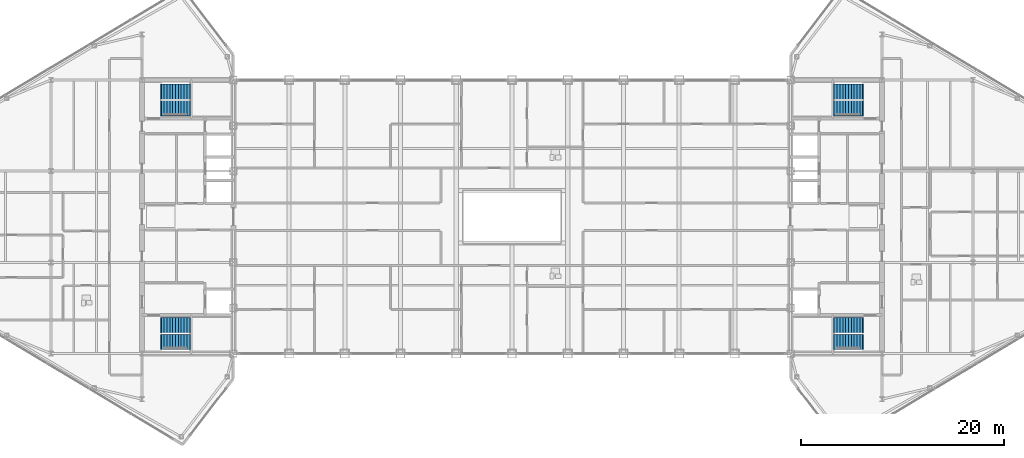
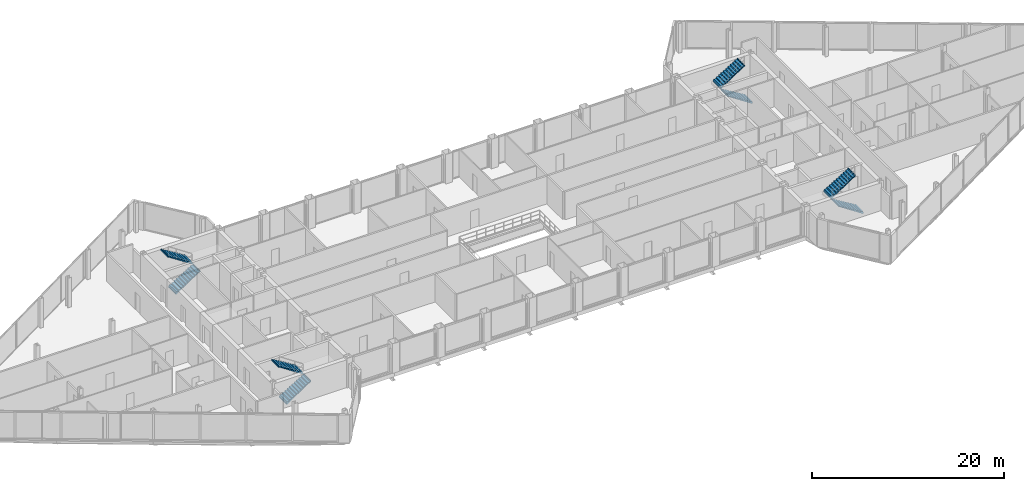
# One storey, part 27 of 29: 8 stair flights, 4 elements without a shape of their own.
"""IFC4 building model written with IfcOpenShell, lengths in metres."""

from ifc_helpers import new_model, si_unit, direction, frame, origin, place, context, subcontext, project, spatial, polyline, outline, extrude, material, type_object, element, aggregate, save


model = new_model("IFC4")

# Units and contexts
model_context = context("Model", 3, precision=1e-05, world=origin(), true_north=direction((0.0, 1.0)))
body_context = subcontext(model_context, "Body", "Model", "MODEL_VIEW")
ifc_project = project(units=[si_unit("LENGTHUNIT", "METRE"), si_unit("AREAUNIT", "SQUARE_METRE"), si_unit("VOLUMEUNIT", "CUBIC_METRE"), si_unit("PLANEANGLEUNIT", "RADIAN"), si_unit("MASSUNIT", "GRAM", prefix="KILO")], contexts=[model_context])

# Site, building, storey
site_placement = place(None, origin())
site = spatial("IfcSite", under=ifc_project, at=site_placement, CompositionType="ELEMENT")
building_placement = place(site_placement, origin())
building = spatial("IfcBuilding", under=site, at=building_placement, Name="Seokmaru Belvedere", CompositionType="ELEMENT")
storey_placement = place(building_placement, frame((0.0, 0.0, 250.64990234375)))
storey = spatial("IfcBuildingStorey", under=building, at=storey_placement, Name="L66", CompositionType="ELEMENT", Elevation=250.64990234375)

# Stair, stair flights
ifc_material = material(Name="Concrete C40 (40 MPa)", Category="concrete")
stair_type = type_object("IfcStairType", Name="Sky-Gate Residential Core Dog-Leg Stair 3750", PredefinedType="TWO_STRAIGHT_RUN_STAIR", material=ifc_material)
stair_1_placement = place(storey_placement, origin())
stair_1 = element("IfcStair", 1, at=stair_1_placement, inside=storey, type_object=stair_type, Name="L66 Special Escape Stair ST-W1", PredefinedType="TWO_STRAIGHT_RUN_STAIR")
stair_flight_type = type_object("IfcStairFlightType", Name="Reinforced Concrete Stair Flight 1500", PredefinedType="STRAIGHT", material=ifc_material)
stair_flight_1_placement = place(storey_placement, frame((-34.60009765625, -12.35009765625, 0.0), z_axis=(0.0, 0.0, 1.0), x_axis=(1.0, 0.0, 0.0)))
stair_flight_1 = element("IfcStairFlight", 2, at=stair_flight_1_placement, type_object=stair_flight_type, Name="ST-W1 flight 1", NumberOfRisers=11, NumberOfTreads=10, PredefinedType="STRAIGHT", RiserHeight=0.170454545, TreadLength=0.28, context=body_context, shape_type="SweptSolid", body=[
    extrude(outline(polyline([(-0.080078125, 0.0), (0.0, 0.17041015625), (0.280029296875, 0.17041015625), (0.280029296875, 0.3408203125), (0.56005859375, 0.3408203125), (0.56005859375, 0.511474609375), (0.840087890625, 0.511474609375), (0.840087890625, 0.681884765625), (1.1201171875, 0.681884765625), (1.1201171875, 0.852294921875), (1.39990234375, 0.852294921875), (1.39990234375, 1.022705078125), (1.679931640625, 1.022705078125), (1.679931640625, 1.193115234375), (1.9599609375, 1.193115234375), (1.9599609375, 1.363525390625), (2.239990234375, 1.363525390625), (2.239990234375, 1.5341796875), (2.52001953125, 1.5341796875), (2.52001953125, 1.70458984375), (2.800048828125, 1.70458984375), (2.800048828125, 1.875), (2.8798828125, 1.875), (2.8798828125, 1.68505859375), (2.800048828125, 1.68505859375), (0.0, -0.159912109375), (-0.080078125, -0.159912109375), (-0.080078125, 0.0)])), frame((0.0, 0.75, 0.0), z_axis=(0.0, -1.0, 0.0), x_axis=(1.0, 0.0, 0.0)), (0.0, 0.0, 1.0), 1.5),
])
stair_flight_2_placement = place(storey_placement, frame((-31.800048828125, -10.7099609375, 1.875), z_axis=(0.0, 0.0, 1.0), x_axis=(-1.0, 0.0, 0.0)))
stair_flight_2 = element("IfcStairFlight", 3, at=stair_flight_2_placement, type_object=stair_flight_type, Name="ST-W1 flight 2", NumberOfRisers=11, NumberOfTreads=10, PredefinedType="STRAIGHT", RiserHeight=0.170454545, TreadLength=0.28, context=body_context, shape_type="SweptSolid", body=[
    extrude(outline(polyline([(-0.080078125, 0.0), (0.0, 0.17041015625), (0.280029296875, 0.17041015625), (0.280029296875, 0.3408203125), (0.56005859375, 0.3408203125), (0.56005859375, 0.511474609375), (0.840087890625, 0.511474609375), (0.840087890625, 0.681884765625), (1.1201171875, 0.681884765625), (1.1201171875, 0.852294921875), (1.39990234375, 0.852294921875), (1.39990234375, 1.022705078125), (1.679931640625, 1.022705078125), (1.679931640625, 1.193115234375), (1.9599609375, 1.193115234375), (1.9599609375, 1.363525390625), (2.239990234375, 1.363525390625), (2.239990234375, 1.5341796875), (2.52001953125, 1.5341796875), (2.52001953125, 1.70458984375), (2.800048828125, 1.70458984375), (2.800048828125, 1.875), (2.8798828125, 1.875), (2.8798828125, 1.68505859375), (2.800048828125, 1.68505859375), (0.0, -0.159912109375), (-0.080078125, -0.159912109375), (-0.080078125, 0.0)])), frame((0.0, 0.75, 0.0), z_axis=(0.0, -1.0, 0.0), x_axis=(1.0, 0.0, 0.0)), (0.0, 0.0, 1.0), 1.5),
])
aggregate(stair_1, [stair_flight_1, stair_flight_2])

stair_2_placement = place(storey_placement, origin())
stair_2 = element("IfcStair", 4, at=stair_2_placement, inside=storey, type_object=stair_type, Name="L66 Special Escape Stair ST-W2", PredefinedType="TWO_STRAIGHT_RUN_STAIR")
stair_flight_3_placement = place(storey_placement, frame((-34.60009765625, 10.7099609375, 0.0), z_axis=(0.0, 0.0, 1.0), x_axis=(1.0, 0.0, 0.0)))
stair_flight_3 = element("IfcStairFlight", 5, at=stair_flight_3_placement, type_object=stair_flight_type, Name="ST-W2 flight 1", NumberOfRisers=11, NumberOfTreads=10, PredefinedType="STRAIGHT", RiserHeight=0.170454545, TreadLength=0.28, context=body_context, shape_type="SweptSolid", body=[
    extrude(outline(polyline([(-0.080078125, 0.0), (0.0, 0.17041015625), (0.280029296875, 0.17041015625), (0.280029296875, 0.3408203125), (0.56005859375, 0.3408203125), (0.56005859375, 0.511474609375), (0.840087890625, 0.511474609375), (0.840087890625, 0.681884765625), (1.1201171875, 0.681884765625), (1.1201171875, 0.852294921875), (1.39990234375, 0.852294921875), (1.39990234375, 1.022705078125), (1.679931640625, 1.022705078125), (1.679931640625, 1.193115234375), (1.9599609375, 1.193115234375), (1.9599609375, 1.363525390625), (2.239990234375, 1.363525390625), (2.239990234375, 1.5341796875), (2.52001953125, 1.5341796875), (2.52001953125, 1.70458984375), (2.800048828125, 1.70458984375), (2.800048828125, 1.875), (2.8798828125, 1.875), (2.8798828125, 1.68505859375), (2.800048828125, 1.68505859375), (0.0, -0.159912109375), (-0.080078125, -0.159912109375), (-0.080078125, 0.0)])), frame((0.0, 0.75, 0.0), z_axis=(0.0, -1.0, 0.0), x_axis=(1.0, 0.0, 0.0)), (0.0, 0.0, 1.0), 1.5),
])
stair_flight_4_placement = place(storey_placement, frame((-31.800048828125, 12.35009765625, 1.875), z_axis=(0.0, 0.0, 1.0), x_axis=(-1.0, 0.0, 0.0)))
stair_flight_4 = element("IfcStairFlight", 6, at=stair_flight_4_placement, type_object=stair_flight_type, Name="ST-W2 flight 2", NumberOfRisers=11, NumberOfTreads=10, PredefinedType="STRAIGHT", RiserHeight=0.170454545, TreadLength=0.28, context=body_context, shape_type="SweptSolid", body=[
    extrude(outline(polyline([(-0.080078125, 0.0), (0.0, 0.17041015625), (0.280029296875, 0.17041015625), (0.280029296875, 0.3408203125), (0.56005859375, 0.3408203125), (0.56005859375, 0.511474609375), (0.840087890625, 0.511474609375), (0.840087890625, 0.681884765625), (1.1201171875, 0.681884765625), (1.1201171875, 0.852294921875), (1.39990234375, 0.852294921875), (1.39990234375, 1.022705078125), (1.679931640625, 1.022705078125), (1.679931640625, 1.193115234375), (1.9599609375, 1.193115234375), (1.9599609375, 1.363525390625), (2.239990234375, 1.363525390625), (2.239990234375, 1.5341796875), (2.52001953125, 1.5341796875), (2.52001953125, 1.70458984375), (2.800048828125, 1.70458984375), (2.800048828125, 1.875), (2.8798828125, 1.875), (2.8798828125, 1.68505859375), (2.800048828125, 1.68505859375), (0.0, -0.159912109375), (-0.080078125, -0.159912109375), (-0.080078125, 0.0)])), frame((0.0, 0.75, 0.0), z_axis=(0.0, -1.0, 0.0), x_axis=(1.0, 0.0, 0.0)), (0.0, 0.0, 1.0), 1.5),
])
aggregate(stair_2, [stair_flight_3, stair_flight_4])

stair_3_placement = place(storey_placement, origin())
stair_3 = element("IfcStair", 7, at=stair_3_placement, inside=storey, type_object=stair_type, Name="L66 Special Escape Stair ST-E1", PredefinedType="TWO_STRAIGHT_RUN_STAIR")
stair_flight_5_placement = place(storey_placement, frame((34.60009765625, -12.35009765625, 0.0), z_axis=(0.0, 0.0, 1.0), x_axis=(-1.0, 0.0, 0.0)))
stair_flight_5 = element("IfcStairFlight", 8, at=stair_flight_5_placement, type_object=stair_flight_type, Name="ST-E1 flight 1", NumberOfRisers=11, NumberOfTreads=10, PredefinedType="STRAIGHT", RiserHeight=0.170454545, TreadLength=0.28, context=body_context, shape_type="SweptSolid", body=[
    extrude(outline(polyline([(-0.080078125, 0.0), (0.0, 0.17041015625), (0.280029296875, 0.17041015625), (0.280029296875, 0.3408203125), (0.56005859375, 0.3408203125), (0.56005859375, 0.511474609375), (0.840087890625, 0.511474609375), (0.840087890625, 0.681884765625), (1.1201171875, 0.681884765625), (1.1201171875, 0.852294921875), (1.39990234375, 0.852294921875), (1.39990234375, 1.022705078125), (1.679931640625, 1.022705078125), (1.679931640625, 1.193115234375), (1.9599609375, 1.193115234375), (1.9599609375, 1.363525390625), (2.239990234375, 1.363525390625), (2.239990234375, 1.5341796875), (2.52001953125, 1.5341796875), (2.52001953125, 1.70458984375), (2.800048828125, 1.70458984375), (2.800048828125, 1.875), (2.8798828125, 1.875), (2.8798828125, 1.68505859375), (2.800048828125, 1.68505859375), (0.0, -0.159912109375), (-0.080078125, -0.159912109375), (-0.080078125, 0.0)])), frame((0.0, 0.75, 0.0), z_axis=(0.0, -1.0, 0.0), x_axis=(1.0, 0.0, 0.0)), (0.0, 0.0, 1.0), 1.5),
])
stair_flight_6_placement = place(storey_placement, frame((31.800048828125, -10.7099609375, 1.875), z_axis=(0.0, 0.0, 1.0), x_axis=(1.0, 0.0, 0.0)))
stair_flight_6 = element("IfcStairFlight", 9, at=stair_flight_6_placement, type_object=stair_flight_type, Name="ST-E1 flight 2", NumberOfRisers=11, NumberOfTreads=10, PredefinedType="STRAIGHT", RiserHeight=0.170454545, TreadLength=0.28, context=body_context, shape_type="SweptSolid", body=[
    extrude(outline(polyline([(-0.080078125, 0.0), (0.0, 0.17041015625), (0.280029296875, 0.17041015625), (0.280029296875, 0.3408203125), (0.56005859375, 0.3408203125), (0.56005859375, 0.511474609375), (0.840087890625, 0.511474609375), (0.840087890625, 0.681884765625), (1.1201171875, 0.681884765625), (1.1201171875, 0.852294921875), (1.39990234375, 0.852294921875), (1.39990234375, 1.022705078125), (1.679931640625, 1.022705078125), (1.679931640625, 1.193115234375), (1.9599609375, 1.193115234375), (1.9599609375, 1.363525390625), (2.239990234375, 1.363525390625), (2.239990234375, 1.5341796875), (2.52001953125, 1.5341796875), (2.52001953125, 1.70458984375), (2.800048828125, 1.70458984375), (2.800048828125, 1.875), (2.8798828125, 1.875), (2.8798828125, 1.68505859375), (2.800048828125, 1.68505859375), (0.0, -0.159912109375), (-0.080078125, -0.159912109375), (-0.080078125, 0.0)])), frame((0.0, 0.75, 0.0), z_axis=(0.0, -1.0, 0.0), x_axis=(1.0, 0.0, 0.0)), (0.0, 0.0, 1.0), 1.5),
])
aggregate(stair_3, [stair_flight_5, stair_flight_6])

stair_4_placement = place(storey_placement, origin())
stair_4 = element("IfcStair", 10, at=stair_4_placement, inside=storey, type_object=stair_type, Name="L66 Special Escape Stair ST-E2", PredefinedType="TWO_STRAIGHT_RUN_STAIR")
stair_flight_7_placement = place(storey_placement, frame((34.60009765625, 10.7099609375, 0.0), z_axis=(0.0, 0.0, 1.0), x_axis=(-1.0, 0.0, 0.0)))
stair_flight_7 = element("IfcStairFlight", 11, at=stair_flight_7_placement, type_object=stair_flight_type, Name="ST-E2 flight 1", NumberOfRisers=11, NumberOfTreads=10, PredefinedType="STRAIGHT", RiserHeight=0.170454545, TreadLength=0.28, context=body_context, shape_type="SweptSolid", body=[
    extrude(outline(polyline([(-0.080078125, 0.0), (0.0, 0.17041015625), (0.280029296875, 0.17041015625), (0.280029296875, 0.3408203125), (0.56005859375, 0.3408203125), (0.56005859375, 0.511474609375), (0.840087890625, 0.511474609375), (0.840087890625, 0.681884765625), (1.1201171875, 0.681884765625), (1.1201171875, 0.852294921875), (1.39990234375, 0.852294921875), (1.39990234375, 1.022705078125), (1.679931640625, 1.022705078125), (1.679931640625, 1.193115234375), (1.9599609375, 1.193115234375), (1.9599609375, 1.363525390625), (2.239990234375, 1.363525390625), (2.239990234375, 1.5341796875), (2.52001953125, 1.5341796875), (2.52001953125, 1.70458984375), (2.800048828125, 1.70458984375), (2.800048828125, 1.875), (2.8798828125, 1.875), (2.8798828125, 1.68505859375), (2.800048828125, 1.68505859375), (0.0, -0.159912109375), (-0.080078125, -0.159912109375), (-0.080078125, 0.0)])), frame((0.0, 0.75, 0.0), z_axis=(0.0, -1.0, 0.0), x_axis=(1.0, 0.0, 0.0)), (0.0, 0.0, 1.0), 1.5),
])
stair_flight_8_placement = place(storey_placement, frame((31.800048828125, 12.35009765625, 1.875), z_axis=(0.0, 0.0, 1.0), x_axis=(1.0, 0.0, 0.0)))
stair_flight_8 = element("IfcStairFlight", 12, at=stair_flight_8_placement, type_object=stair_flight_type, Name="ST-E2 flight 2", NumberOfRisers=11, NumberOfTreads=10, PredefinedType="STRAIGHT", RiserHeight=0.170454545, TreadLength=0.28, context=body_context, shape_type="SweptSolid", body=[
    extrude(outline(polyline([(-0.080078125, 0.0), (0.0, 0.17041015625), (0.280029296875, 0.17041015625), (0.280029296875, 0.3408203125), (0.56005859375, 0.3408203125), (0.56005859375, 0.511474609375), (0.840087890625, 0.511474609375), (0.840087890625, 0.681884765625), (1.1201171875, 0.681884765625), (1.1201171875, 0.852294921875), (1.39990234375, 0.852294921875), (1.39990234375, 1.022705078125), (1.679931640625, 1.022705078125), (1.679931640625, 1.193115234375), (1.9599609375, 1.193115234375), (1.9599609375, 1.363525390625), (2.239990234375, 1.363525390625), (2.239990234375, 1.5341796875), (2.52001953125, 1.5341796875), (2.52001953125, 1.70458984375), (2.800048828125, 1.70458984375), (2.800048828125, 1.875), (2.8798828125, 1.875), (2.8798828125, 1.68505859375), (2.800048828125, 1.68505859375), (0.0, -0.159912109375), (-0.080078125, -0.159912109375), (-0.080078125, 0.0)])), frame((0.0, 0.75, 0.0), z_axis=(0.0, -1.0, 0.0), x_axis=(1.0, 0.0, 0.0)), (0.0, 0.0, 1.0), 1.5),
])
aggregate(stair_4, [stair_flight_7, stair_flight_8])

save(model, "model.ifc")
